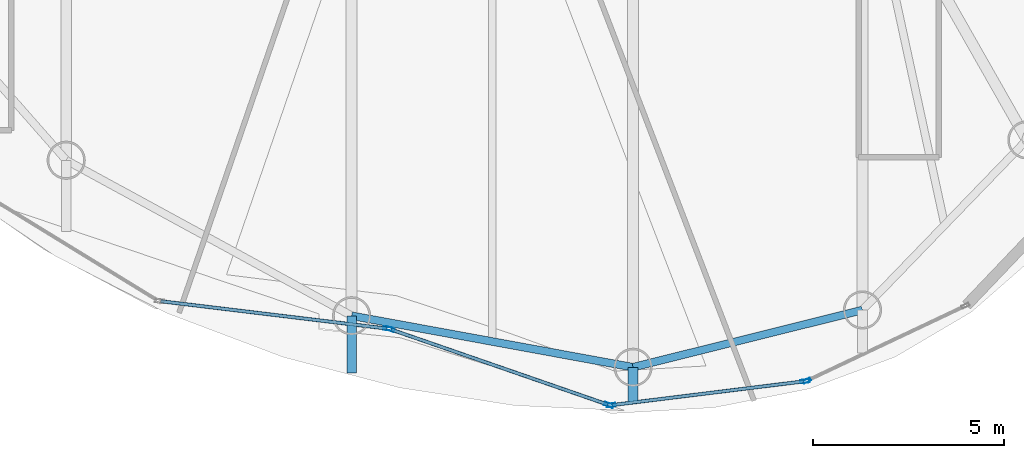
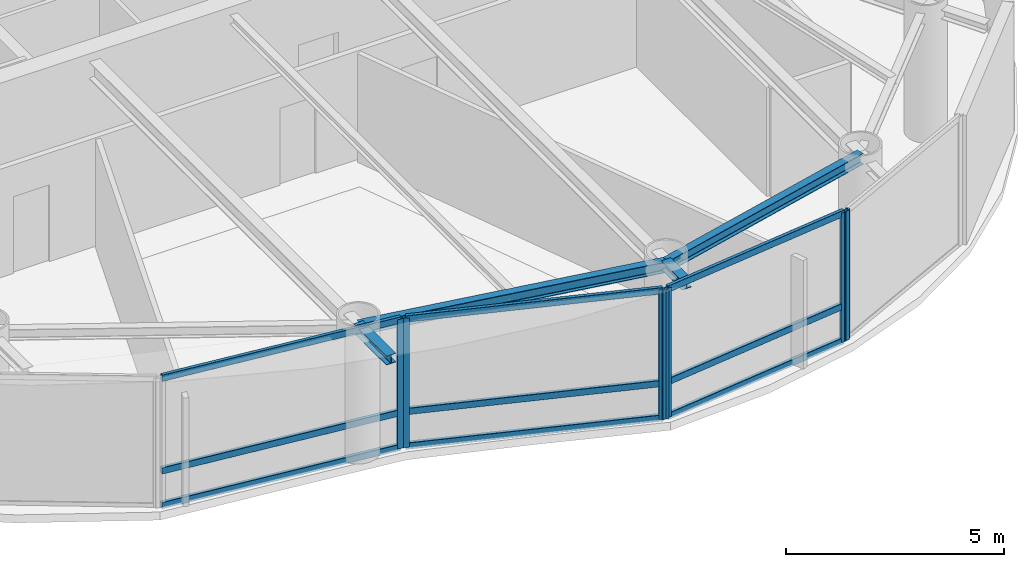
# One storey, part 4 of 21: 15 members, 4 beams, 4 elements without a shape of their own.
"""IFC4 building model written with IfcOpenShell, lengths in metres."""

import ifcopenshell
import ifcopenshell.guid

model = None  # the IFC model being written
_history = None  # IfcOwnerHistory: only IFC2X3 demands one
_inside = {}  # id of a spatial element -> (the spatial element, [elements in it])
_under = {}  # id of a project, library or spatial element -> (it, [spatial elements below it])
_declared = {}  # id of a project -> (the project, [libraries it declares])
_typed = {}  # id of a type object -> (the type object, [elements of that type])
_made_of = {}  # id of a material, layer set ... -> (it, [elements and type objects made of it])


def new_model(schema):
    """Start an empty IFC model of exactly this schema.

    Asked for "IFC4X3", IfcOpenShell would pick the latest addendum, in which some entities
    have other attributes; the version numbers below select the first issue.
    IFC2X3 requires an IfcOwnerHistory on every rooted entity: one is made here for all.
    """
    global model, _history
    if schema == "IFC4X3":
        model = ifcopenshell.file(schema_version=(4, 3, 0, 0))
    else:
        model = ifcopenshell.file(schema=schema)
    _inside.clear()
    _under.clear()
    _declared.clear()
    _typed.clear()
    _made_of.clear()
    _history = None
    if model.schema == "IFC2X3":
        org = make("IfcOrganization", Name="unknown")
        user = make(
            "IfcPersonAndOrganization",
            ThePerson=make("IfcPerson", FamilyName="unknown"),
            TheOrganization=org,
        )
        app = make(
            "IfcApplication",
            ApplicationDeveloper=org,
            Version="unknown",
            ApplicationFullName="unknown",
            ApplicationIdentifier="unknown",
        )
        _history = make(
            "IfcOwnerHistory",
            OwningUser=user,
            OwningApplication=app,
            ChangeAction="ADDED",
            CreationDate=0,
        )
    return model


def make(cls, **values):
    """One entity of the class cls with the attributes given. An attribute that is None is left unset."""
    return model.create_entity(
        cls, **{name: value for name, value in values.items() if value is not None}
    )


def rooted(cls, **values):
    """An entity with a GlobalId (a new one), such as an element, a storey or a relation."""
    return make(cls, GlobalId=ifcopenshell.guid.new(), OwnerHistory=_history, **values)


def si_unit(unit_type, name, prefix=None):
    """IfcSIUnit, for example si_unit("LENGTHUNIT", "METRE", prefix="MILLI")."""
    return make("IfcSIUnit", UnitType=unit_type, Prefix=prefix, Name=name)


def assignment(units):
    """IfcUnitAssignment: the units of a project."""
    return None if units is None else make("IfcUnitAssignment", Units=units)


def point(xyz):
    """IfcCartesianPoint."""
    return None if xyz is None else make("IfcCartesianPoint", Coordinates=xyz)


def direction(xyz):
    """IfcDirection."""
    return None if xyz is None else make("IfcDirection", DirectionRatios=xyz)


def frame(location, z_axis=None, x_axis=None):
    """IfcAxis2Placement3D, a coordinate frame: its origin and axes. An axis left out is left unset."""
    return make(
        "IfcAxis2Placement3D",
        Location=point(location),
        Axis=direction(z_axis),
        RefDirection=direction(x_axis),
    )


def frame_2d(location, x_axis=None):
    """IfcAxis2Placement2D, a coordinate frame in the plane: its origin and x axis."""
    return make(
        "IfcAxis2Placement2D", Location=point(location), RefDirection=direction(x_axis)
    )


def origin():
    """The frame at (0, 0, 0) with its axes left unset."""
    return frame((0.0, 0.0, 0.0))


def origin_2d():
    """The frame at (0, 0) in the plane with its x axis left unset."""
    return frame_2d((0.0, 0.0))


def place(relative_to, where):
    """IfcLocalPlacement: puts the frame where relative to a parent placement (None: the world)."""
    return make(
        "IfcLocalPlacement", PlacementRelTo=relative_to, RelativePlacement=where
    )


def context(
    kind, dimensions, precision=None, world=None, true_north=None, identifier=None
):
    """IfcGeometricRepresentationContext, for example the 3D "Model" context."""
    return make(
        "IfcGeometricRepresentationContext",
        ContextIdentifier=identifier,
        ContextType=kind,
        CoordinateSpaceDimension=dimensions,
        Precision=precision,
        WorldCoordinateSystem=world,
        TrueNorth=true_north,
    )


def subcontext(parent, identifier, kind, view, scale=None):
    """IfcGeometricRepresentationSubContext, for example "Body" below "Model"."""
    return make(
        "IfcGeometricRepresentationSubContext",
        ContextIdentifier=identifier,
        ContextType=kind,
        ParentContext=parent,
        TargetScale=scale,
        TargetView=view,
    )


def project(units=None, contexts=None):
    """IfcProject with its units and contexts."""
    return rooted(
        "IfcProject",
        Name="project",
        RepresentationContexts=contexts,
        UnitsInContext=assignment(units),
    )


def spatial(cls, under=None, at=None, **own):
    """A site, building, storey or space (cls), placed at a placement, below another one or the project."""
    s = rooted(cls, ObjectPlacement=at, **own)
    if under is not None:
        _under.setdefault(under.id(), (under, []))[1].append(s)
    return s


def profile(cls, at=None, kind="AREA", **sizes):
    """A parametric profile (cls). Its sizes go by their IFC names, for example OverallWidth=200.0."""
    return make(cls, ProfileType=kind, Position=at, **sizes)


def hollow_rectangle(**sizes):
    """IfcRectangleHollowProfileDef."""
    return profile("IfcRectangleHollowProfileDef", **sizes)


def i_section(**sizes):
    """IfcIShapeProfileDef."""
    return profile("IfcIShapeProfileDef", **sizes)


def extrude(swept, where, along, depth):
    """IfcExtrudedAreaSolid: the profile swept, set in the frame where, extruded along a direction by depth."""
    return make(
        "IfcExtrudedAreaSolid",
        SweptArea=swept,
        Position=where,
        ExtrudedDirection=direction(along),
        Depth=depth,
    )


def shape(context_of_items, identifier, shape_type, items):
    """IfcShapeRepresentation: the items that make up one representation, for example the "Body"."""
    return make(
        "IfcShapeRepresentation",
        ContextOfItems=context_of_items,
        RepresentationIdentifier=identifier,
        RepresentationType=shape_type,
        Items=items,
    )


def material(Name=None, Category=None):
    """IfcMaterial."""
    return make("IfcMaterial", Name=Name, Category=Category)


def layer(
    of_material, thickness, ventilated=None, Name=None, Category=None, Priority=None
):
    """IfcMaterialLayer: one layer of a wall or slab, of a material (None: an air gap)."""
    return make(
        "IfcMaterialLayer",
        Material=of_material,
        LayerThickness=thickness,
        IsVentilated=ventilated,
        Name=Name,
        Category=Category,
        Priority=Priority,
    )


def layer_set(layers, Name=None):
    """IfcMaterialLayerSet."""
    return make("IfcMaterialLayerSet", MaterialLayers=layers, LayerSetName=Name)


def material_profile(
    of_material, cross_section, Name=None, Category=None, Priority=None
):
    """IfcMaterialProfile: a cross section and its material."""
    return make(
        "IfcMaterialProfile",
        Name=Name,
        Material=of_material,
        Profile=cross_section,
        Priority=Priority,
        Category=Category,
    )


def profile_set(profiles, Name=None, composite=None):
    """IfcMaterialProfileSet."""
    return make(
        "IfcMaterialProfileSet",
        Name=Name,
        MaterialProfiles=profiles,
        CompositeProfile=composite,
    )


def made_of(thing, what):
    """Note that an element or type object is made of a material, layer set ...; save() writes the relation."""
    if what is not None:
        _made_of.setdefault(what.id(), (what, []))[1].append(thing)
    return thing


def type_object(cls, material=None, **own):
    """A type object (cls), such as IfcWallType, which elements share."""
    return made_of(rooted(cls, **own), material)


def element(
    cls,
    number,
    at=None,
    inside=None,
    cuts=None,
    type_object=None,
    material=None,
    context=None,
    identifier="Body",
    shape_type=None,
    held_by="IfcProductDefinitionShape",
    body=None,
    shapes=None,
    **own,
):
    """One element of the class cls, such as IfcWall. Its Tag is "e" and its number.

    at: its placement. inside: the storey or other place that contains it. cuts: it is an
    opening in that element (IfcRelVoidsElement). A single representation is given by context,
    identifier, shape_type and body (its items); several are given by shapes. held_by: the class
    of the entity that holds the representations. save() writes the other relations.
    """
    e = rooted(cls, Tag="e%d" % number, ObjectPlacement=at, **own)
    if body is not None:
        shapes = [shape(context, identifier, shape_type, body)]
    if shapes is not None:
        e.Representation = make(held_by, Representations=shapes)
    if inside is not None:
        _inside.setdefault(inside.id(), (inside, []))[1].append(e)
    if cuts is not None:
        rooted(
            "IfcRelVoidsElement", RelatingBuildingElement=cuts, RelatedOpeningElement=e
        )
    if type_object is not None:
        _typed.setdefault(type_object.id(), (type_object, []))[1].append(e)
    return made_of(e, material)


def aggregate(whole, parts):
    """IfcRelAggregates: a whole, such as a stair, and the parts it consists of."""
    return rooted("IfcRelAggregates", RelatingObject=whole, RelatedObjects=parts)


def save(model, path):
    """Write the relations noted so far, then the file.

    IfcRelAggregates (storeys below a building ...), IfcRelContainedInSpatialStructure (elements
    in a storey), IfcRelDefinesByType, IfcRelAssociatesMaterial and IfcRelDeclares: one each for
    every whole, place, type object, material and project.
    """
    for whole, parts in _under.values():
        aggregate(whole, parts)
    for where, things in _inside.values():
        rooted(
            "IfcRelContainedInSpatialStructure",
            RelatedElements=things,
            RelatingStructure=where,
        )
    for kind, things in _typed.values():
        rooted("IfcRelDefinesByType", RelatedObjects=things, RelatingType=kind)
    for what, things in _made_of.values():
        rooted("IfcRelAssociatesMaterial", RelatedObjects=things, RelatingMaterial=what)
    for by, libraries in _declared.values():
        rooted("IfcRelDeclares", RelatingContext=by, RelatedDefinitions=libraries)
    model.write(path)


model = new_model("IFC4")

# Units and contexts
model_context = context("Model", 3, precision=1e-05, world=origin(), true_north=direction((0.0, 1.0)))
body_context = subcontext(model_context, "Body", "Model", "MODEL_VIEW")
ifc_project = project(units=[si_unit("LENGTHUNIT", "METRE"), si_unit("AREAUNIT", "SQUARE_METRE"), si_unit("VOLUMEUNIT", "CUBIC_METRE"), si_unit("PLANEANGLEUNIT", "RADIAN"), si_unit("MASSUNIT", "GRAM", prefix="KILO")], contexts=[model_context])

# Site, building, storey
site_placement = place(None, origin())
site = spatial("IfcSite", under=ifc_project, at=site_placement, CompositionType="ELEMENT")
building_placement = place(site_placement, origin())
building = spatial("IfcBuilding", under=site, at=building_placement, Name="Bramvorn Convention Spire", CompositionType="ELEMENT")
storey_placement = place(building_placement, frame((0.0, 0.0, 249.75)))
storey = spatial("IfcBuildingStorey", under=building, at=storey_placement, Name="L63", CompositionType="ELEMENT", Elevation=249.75)

# Beams
ifc_material_1 = material(Name="Steel CSA G40.21 Grade 350 (350W)", Category="steel")
ifc_material_profile_1 = material_profile(ifc_material_1, i_section(OverallWidth=0.25390625, OverallDepth=0.2529296875, WebThickness=0.008544921875, FlangeThickness=0.01416015625, FilletRadius=0.011962890625, at=origin_2d()))
ifc_profile_set_1 = profile_set([ifc_material_profile_1], Name="Steel CSA G40.21 Grade 350 (350W) - W250X73")
beam_type_1 = type_object("IfcBeamType", Name="BM-W250X73", PredefinedType="BEAM", material=ifc_profile_set_1)
beam_1_placement = place(storey_placement, frame((35.8154296875, 6.44921875, 3.49853515625), z_axis=(0.0, -1.0, 0.0), x_axis=(1.0, 0.0, 0.0)))
element("IfcBeam", 1, at=beam_1_placement, inside=storey, type_object=beam_type_1, Name="L63 slab-edge cantilever tip beam MC15", PredefinedType="BEAM", context=body_context, shape_type="SweptSolid", body=[
    extrude(i_section(OverallWidth=0.25390625, OverallDepth=0.2529296875, WebThickness=0.008544921875, FlangeThickness=0.01416015625, FilletRadius=0.011962890625, at=origin_2d()), origin(), (0.0, 0.0, 1.0), 1.50244140625),
])
beam_2_placement = place(storey_placement, frame((43.1884765625, 5.09912109375, 3.49853515625), z_axis=(0.0, -1.0, 0.0), x_axis=(1.0, 0.0, 0.0)))
element("IfcBeam", 2, at=beam_2_placement, inside=storey, type_object=beam_type_1, Name="L63 slab-edge cantilever tip beam MC16", PredefinedType="BEAM", context=body_context, shape_type="SweptSolid", body=[
    extrude(i_section(OverallWidth=0.25390625, OverallDepth=0.2529296875, WebThickness=0.008544921875, FlangeThickness=0.01416015625, FilletRadius=0.011962890625, at=origin_2d()), origin(), (0.0, 0.0, 1.0), 0.942138671875),
])
ifc_material_profile_2 = material_profile(ifc_material_1, i_section(OverallWidth=0.202880859375, OverallDepth=0.302978515625, WebThickness=0.007568359375, FlangeThickness=0.01318359375, FilletRadius=0.013916015625, at=origin_2d()))
ifc_profile_set_2 = profile_set([ifc_material_profile_2], Name="Steel CSA G40.21 Grade 350 (350W) - W310X60")
beam_type_2 = type_object("IfcBeamType", Name="BM-W310X60", PredefinedType="JOIST", material=ifc_profile_set_2)
beam_3_placement = place(storey_placement, frame((35.8154296875, 6.44921875, 3.473388671875), z_axis=(0.983645049461, -0.180117785547, 0.0), x_axis=(0.180117785547, 0.983645049461, 0.0)))
element("IfcBeam", 3, at=beam_3_placement, inside=storey, type_object=beam_type_2, Name="L63 mega-column ring beam 15", PredefinedType="JOIST", context=body_context, shape_type="SweptSolid", body=[
    extrude(i_section(OverallWidth=0.202880859375, OverallDepth=0.302978515625, WebThickness=0.007568359375, FlangeThickness=0.01318359375, FilletRadius=0.013916015625, at=origin_2d()), origin(), (0.0, 0.0, 1.0), 7.49560546875),
])
beam_4_placement = place(storey_placement, frame((43.1884765625, 5.09912109375, 3.473388671875), z_axis=(0.970177255997, 0.24239655927, 0.0), x_axis=(-0.24239655927, 0.970177255997, 0.0)))
element("IfcBeam", 4, at=beam_4_placement, inside=storey, type_object=beam_type_2, Name="L63 mega-column ring beam 16", PredefinedType="JOIST", context=body_context, shape_type="SweptSolid", body=[
    extrude(i_section(OverallWidth=0.202880859375, OverallDepth=0.302978515625, WebThickness=0.007568359375, FlangeThickness=0.01318359375, FilletRadius=0.013916015625, at=origin_2d()), origin(), (0.0, 0.0, 1.0), 6.1962890625),
])

# Curtain wall, member
ifc_material_2 = material(Name="Anodised Bronze Unitised Curtain Wall", Category="aluminium")
ifc_layer_1 = layer(ifc_material_2, 0.179931640625)
ifc_layer_set_1 = layer_set([ifc_layer_1], Name="Anodised Bronze Unitised Curtain Wall - CW-OFF-FRIT")
curtain_wall_type_1 = type_object("IfcCurtainWallType", Name="CW-OFF-FRIT", PredefinedType="USERDEFINED", material=ifc_layer_set_1)
curtain_wall_1_placement = place(storey_placement, origin())
curtain_wall_1 = element("IfcCurtainWall", 5, at=curtain_wall_1_placement, inside=storey, type_object=curtain_wall_type_1, Name="L63 fritted glass curtain wall 24", ObjectType="UNITISED CURTAIN WALL", PredefinedType="USERDEFINED")
ifc_material_3 = material(Name="Anodised Bronze Aluminium 6063-T6", Category="aluminium")
ifc_material_profile_3 = material_profile(ifc_material_3, hollow_rectangle(XDim=0.080078125, YDim=0.199951171875, WallThickness=0.00390625, InnerFilletRadius=0.0009765625, OuterFilletRadius=0.00390625, at=origin_2d()))
ifc_profile_set_3 = profile_set([ifc_material_profile_3], Name="Anodised Bronze Aluminium 6063-T6 - CWM80X200")
member_type_1 = type_object("IfcMemberType", Name="CW-MUL-180", PredefinedType="MULLION", material=ifc_profile_set_3)
member_1_placement = place(storey_placement, frame((47.749755859375, 4.750244140625, 0.0), z_axis=(0.0, 0.0, 1.0), x_axis=(0.427408695539, -0.904058519664, 0.0)))
member_1 = element("IfcMember", 6, at=member_1_placement, type_object=member_type_1, Name="CW3 mullion 2", PredefinedType="MULLION", context=body_context, shape_type="SweptSolid", body=[
    extrude(hollow_rectangle(XDim=0.080078125, YDim=0.199951171875, WallThickness=0.00390625, InnerFilletRadius=0.0009765625, OuterFilletRadius=0.00390625, at=origin_2d()), origin(), (0.0, 0.0, 1.0), 3.625),
])
aggregate(curtain_wall_1, [member_1])

ifc_layer_2 = layer(ifc_material_2, 0.219970703125)
ifc_layer_set_2 = layer_set([ifc_layer_2], Name="Anodised Bronze Unitised Curtain Wall - CW-SKYGARDEN")
curtain_wall_type_2 = type_object("IfcCurtainWallType", Name="CW-SKYGARDEN", PredefinedType="USERDEFINED", material=ifc_layer_set_2)
curtain_wall_2_placement = place(storey_placement, origin())
curtain_wall_2 = element("IfcCurtainWall", 7, at=curtain_wall_2_placement, inside=storey, type_object=curtain_wall_type_2, Name="L63 Sky Garden glazed facade 21", ObjectType="WINTER GARDEN GLAZING", PredefinedType="USERDEFINED")
ifc_material_profile_4 = material_profile(ifc_material_3, hollow_rectangle(XDim=0.090087890625, YDim=0.239990234375, WallThickness=0.00439453125, InnerFilletRadius=0.0009765625, OuterFilletRadius=0.00439453125, at=origin_2d()))
ifc_profile_set_4 = profile_set([ifc_material_profile_4], Name="Anodised Bronze Aluminium 6063-T6 - CWM90X240")
member_type_2 = type_object("IfcMemberType", Name="CW-MUL-220", PredefinedType="MULLION", material=ifc_profile_set_4)
member_2_placement = place(storey_placement, frame((36.765625, 6.110595703125, 0.0), z_axis=(0.0, 0.0, 1.0), x_axis=(-0.120017660921, -0.992771756783, 0.0)))
member_2 = element("IfcMember", 8, at=member_2_placement, type_object=member_type_2, Name="CW4 mullion 1", PredefinedType="MULLION", context=body_context, shape_type="SweptSolid", body=[
    extrude(hollow_rectangle(XDim=0.090087890625, YDim=0.239990234375, WallThickness=0.00439453125, InnerFilletRadius=0.0009765625, OuterFilletRadius=0.00439453125, at=origin_2d()), origin(), (0.0, 0.0, 1.0), 3.625),
])

# Curtain wall, members
curtain_wall_3_placement = place(storey_placement, origin())
curtain_wall_3 = element("IfcCurtainWall", 9, at=curtain_wall_3_placement, inside=storey, type_object=curtain_wall_type_2, Name="L63 Sky Garden glazed facade 22", ObjectType="WINTER GARDEN GLAZING", PredefinedType="USERDEFINED")
member_3_placement = place(storey_placement, frame((42.55419921875, 4.11181640625, 0.0), z_axis=(0.0, 0.0, 1.0), x_axis=(-0.327344397594, -0.944905098602, 0.0)))
member_3 = element("IfcMember", 10, at=member_3_placement, type_object=member_type_2, Name="CW4 mullion 1", PredefinedType="MULLION", context=body_context, shape_type="SweptSolid", body=[
    extrude(hollow_rectangle(XDim=0.090087890625, YDim=0.239990234375, WallThickness=0.00439453125, InnerFilletRadius=0.0009765625, OuterFilletRadius=0.00439453125, at=origin_2d()), origin(), (0.0, 0.0, 1.0), 3.625),
])
member_4_placement = place(storey_placement, frame((36.82373046875, 6.09716796875, 0.0), z_axis=(0.0, 0.0, 1.0), x_axis=(-0.327344397594, -0.944905098602, 0.0)))
member_4 = element("IfcMember", 11, at=member_4_placement, type_object=member_type_2, Name="CW4 mullion 2", PredefinedType="MULLION", context=body_context, shape_type="SweptSolid", body=[
    extrude(hollow_rectangle(XDim=0.090087890625, YDim=0.239990234375, WallThickness=0.00439453125, InnerFilletRadius=0.0009765625, OuterFilletRadius=0.00439453125, at=origin_2d()), origin(), (0.0, 0.0, 1.0), 3.625),
])

curtain_wall_4_placement = place(storey_placement, origin())
curtain_wall_4 = element("IfcCurtainWall", 12, at=curtain_wall_4_placement, inside=storey, type_object=curtain_wall_type_2, Name="L63 Sky Garden glazed facade 23", ObjectType="WINTER GARDEN GLAZING", PredefinedType="USERDEFINED")
member_5_placement = place(storey_placement, frame((47.69287109375, 4.733642578125, 0.0), z_axis=(0.0, 0.0, 1.0), x_axis=(0.122644436622, -0.992450674928, 0.0)))
member_5 = element("IfcMember", 13, at=member_5_placement, type_object=member_type_2, Name="CW4 mullion 1", PredefinedType="MULLION", context=body_context, shape_type="SweptSolid", body=[
    extrude(hollow_rectangle(XDim=0.090087890625, YDim=0.239990234375, WallThickness=0.00439453125, InnerFilletRadius=0.0009765625, OuterFilletRadius=0.00439453125, at=origin_2d()), origin(), (0.0, 0.0, 1.0), 3.625),
])
member_6_placement = place(storey_placement, frame((42.6123046875, 4.105712890625, 0.0), z_axis=(0.0, 0.0, 1.0), x_axis=(0.122644436622, -0.992450674928, 0.0)))
member_6 = element("IfcMember", 14, at=member_6_placement, type_object=member_type_2, Name="CW4 mullion 2", PredefinedType="MULLION", context=body_context, shape_type="SweptSolid", body=[
    extrude(hollow_rectangle(XDim=0.090087890625, YDim=0.239990234375, WallThickness=0.00439453125, InnerFilletRadius=0.0009765625, OuterFilletRadius=0.00439453125, at=origin_2d()), origin(), (0.0, 0.0, 1.0), 3.625),
])

# Member
ifc_material_profile_5 = material_profile(ifc_material_3, hollow_rectangle(XDim=0.090087890625, YDim=0.179931640625, WallThickness=0.00439453125, InnerFilletRadius=0.0009765625, OuterFilletRadius=0.00439453125, at=origin_2d()))
ifc_profile_set_5 = profile_set([ifc_material_profile_5], Name="Anodised Bronze Aluminium 6063-T6 - CWT90X180")
member_type_3 = type_object("IfcMemberType", Name="CW-TRN-180", PredefinedType="USERDEFINED", material=ifc_profile_set_5)
member_7_placement = place(storey_placement, frame((36.73583984375, 6.1142578125, 0.030029296875), z_axis=(-0.992774185092, 0.119997572539, 0.0), x_axis=(-0.119997572539, -0.992774185092, 0.0)))
member_7 = element("IfcMember", 15, at=member_7_placement, type_object=member_type_3, Name="CW4 transom 1.1", ObjectType="TRANSOM", PredefinedType="USERDEFINED", context=body_context, shape_type="SweptSolid", body=[
    extrude(hollow_rectangle(XDim=0.090087890625, YDim=0.179931640625, WallThickness=0.00439453125, InnerFilletRadius=0.0009765625, OuterFilletRadius=0.00439453125, at=origin_2d()), origin(), (0.0, 0.0, 1.0), 5.963134765625),
])

member_8_placement = place(storey_placement, frame((36.73583984375, 6.1142578125, 1.0), z_axis=(-0.992774185092, 0.119997572539, 0.0), x_axis=(-0.119997572539, -0.992774185092, 0.0)))
member_8 = element("IfcMember", 16, at=member_8_placement, type_object=member_type_3, Name="CW4 transom 1.2", ObjectType="TRANSOM", PredefinedType="USERDEFINED", context=body_context, shape_type="SweptSolid", body=[
    extrude(hollow_rectangle(XDim=0.090087890625, YDim=0.179931640625, WallThickness=0.00439453125, InnerFilletRadius=0.0009765625, OuterFilletRadius=0.00439453125, at=origin_2d()), origin(), (0.0, 0.0, 1.0), 5.963134765625),
])

member_9_placement = place(storey_placement, frame((36.73583984375, 6.1142578125, 3.594970703125), z_axis=(-0.992774185092, 0.119997572539, 0.0), x_axis=(-0.119997572539, -0.992774185092, 0.0)))
member_9 = element("IfcMember", 17, at=member_9_placement, type_object=member_type_3, Name="CW4 transom 1.3", ObjectType="TRANSOM", PredefinedType="USERDEFINED", context=body_context, shape_type="SweptSolid", body=[
    extrude(hollow_rectangle(XDim=0.090087890625, YDim=0.179931640625, WallThickness=0.00439453125, InnerFilletRadius=0.0009765625, OuterFilletRadius=0.00439453125, at=origin_2d()), origin(), (0.0, 0.0, 1.0), 5.963134765625),
])

aggregate(curtain_wall_2, [member_2, member_7, member_8, member_9])

member_10_placement = place(storey_placement, frame((42.52587890625, 4.121826171875, 0.030029296875), z_axis=(-0.944905802016, 0.327342367127, 0.0), x_axis=(-0.327342367127, -0.944905802016, 0.0)))
member_10 = element("IfcMember", 18, at=member_10_placement, type_object=member_type_3, Name="CW4 transom 1.1", ObjectType="TRANSOM", PredefinedType="USERDEFINED", context=body_context, shape_type="SweptSolid", body=[
    extrude(hollow_rectangle(XDim=0.090087890625, YDim=0.179931640625, WallThickness=0.00439453125, InnerFilletRadius=0.0009765625, OuterFilletRadius=0.00439453125, at=origin_2d()), origin(), (0.0, 0.0, 1.0), 6.004638671875),
])

member_11_placement = place(storey_placement, frame((42.52587890625, 4.121826171875, 1.0), z_axis=(-0.944905802016, 0.327342367127, 0.0), x_axis=(-0.327342367127, -0.944905802016, 0.0)))
member_11 = element("IfcMember", 19, at=member_11_placement, type_object=member_type_3, Name="CW4 transom 1.2", ObjectType="TRANSOM", PredefinedType="USERDEFINED", context=body_context, shape_type="SweptSolid", body=[
    extrude(hollow_rectangle(XDim=0.090087890625, YDim=0.179931640625, WallThickness=0.00439453125, InnerFilletRadius=0.0009765625, OuterFilletRadius=0.00439453125, at=origin_2d()), origin(), (0.0, 0.0, 1.0), 6.004638671875),
])

member_12_placement = place(storey_placement, frame((42.52587890625, 4.121826171875, 3.594970703125), z_axis=(-0.944905802016, 0.327342367127, 0.0), x_axis=(-0.327342367127, -0.944905802016, 0.0)))
member_12 = element("IfcMember", 20, at=member_12_placement, type_object=member_type_3, Name="CW4 transom 1.3", ObjectType="TRANSOM", PredefinedType="USERDEFINED", context=body_context, shape_type="SweptSolid", body=[
    extrude(hollow_rectangle(XDim=0.090087890625, YDim=0.179931640625, WallThickness=0.00439453125, InnerFilletRadius=0.0009765625, OuterFilletRadius=0.00439453125, at=origin_2d()), origin(), (0.0, 0.0, 1.0), 6.004638671875),
])

aggregate(curtain_wall_3, [member_3, member_4, member_10, member_11, member_12])

member_13_placement = place(storey_placement, frame((47.6630859375, 4.72998046875, 0.030029296875), z_axis=(-0.99244769097, -0.122668580689, 0.0), x_axis=(0.122668580689, -0.99244769097, 0.0)))
member_13 = element("IfcMember", 21, at=member_13_placement, type_object=member_type_3, Name="CW4 transom 1.1", ObjectType="TRANSOM", PredefinedType="USERDEFINED", context=body_context, shape_type="SweptSolid", body=[
    extrude(hollow_rectangle(XDim=0.090087890625, YDim=0.179931640625, WallThickness=0.00439453125, InnerFilletRadius=0.0009765625, OuterFilletRadius=0.00439453125, at=origin_2d()), origin(), (0.0, 0.0, 1.0), 5.059326171875),
])

member_14_placement = place(storey_placement, frame((47.6630859375, 4.72998046875, 1.0), z_axis=(-0.99244769097, -0.122668580689, 0.0), x_axis=(0.122668580689, -0.99244769097, 0.0)))
member_14 = element("IfcMember", 22, at=member_14_placement, type_object=member_type_3, Name="CW4 transom 1.2", ObjectType="TRANSOM", PredefinedType="USERDEFINED", context=body_context, shape_type="SweptSolid", body=[
    extrude(hollow_rectangle(XDim=0.090087890625, YDim=0.179931640625, WallThickness=0.00439453125, InnerFilletRadius=0.0009765625, OuterFilletRadius=0.00439453125, at=origin_2d()), origin(), (0.0, 0.0, 1.0), 5.059326171875),
])

member_15_placement = place(storey_placement, frame((47.6630859375, 4.72998046875, 3.594970703125), z_axis=(-0.99244769097, -0.122668580689, 0.0), x_axis=(0.122668580689, -0.99244769097, 0.0)))
member_15 = element("IfcMember", 23, at=member_15_placement, type_object=member_type_3, Name="CW4 transom 1.3", ObjectType="TRANSOM", PredefinedType="USERDEFINED", context=body_context, shape_type="SweptSolid", body=[
    extrude(hollow_rectangle(XDim=0.090087890625, YDim=0.179931640625, WallThickness=0.00439453125, InnerFilletRadius=0.0009765625, OuterFilletRadius=0.00439453125, at=origin_2d()), origin(), (0.0, 0.0, 1.0), 5.059326171875),
])

aggregate(curtain_wall_4, [member_5, member_6, member_13, member_14, member_15])

save(model, "model.ifc")
